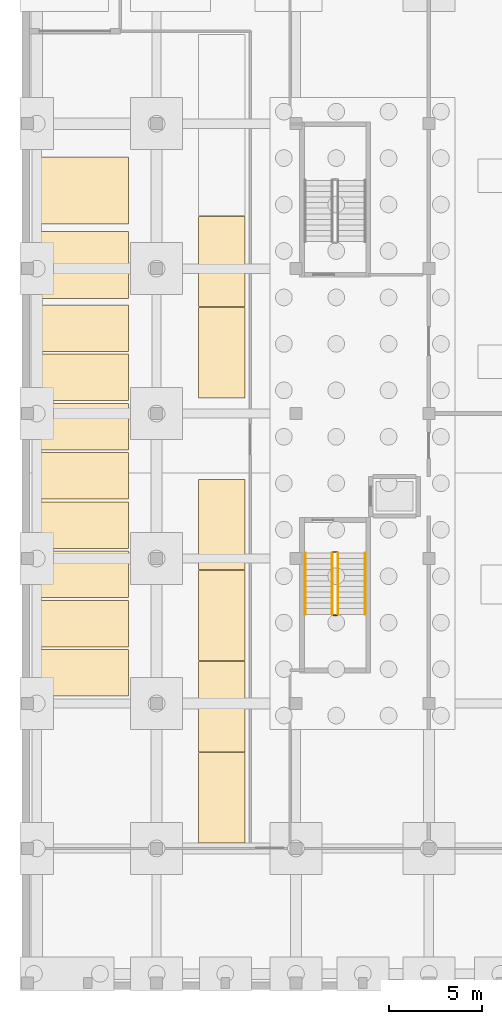
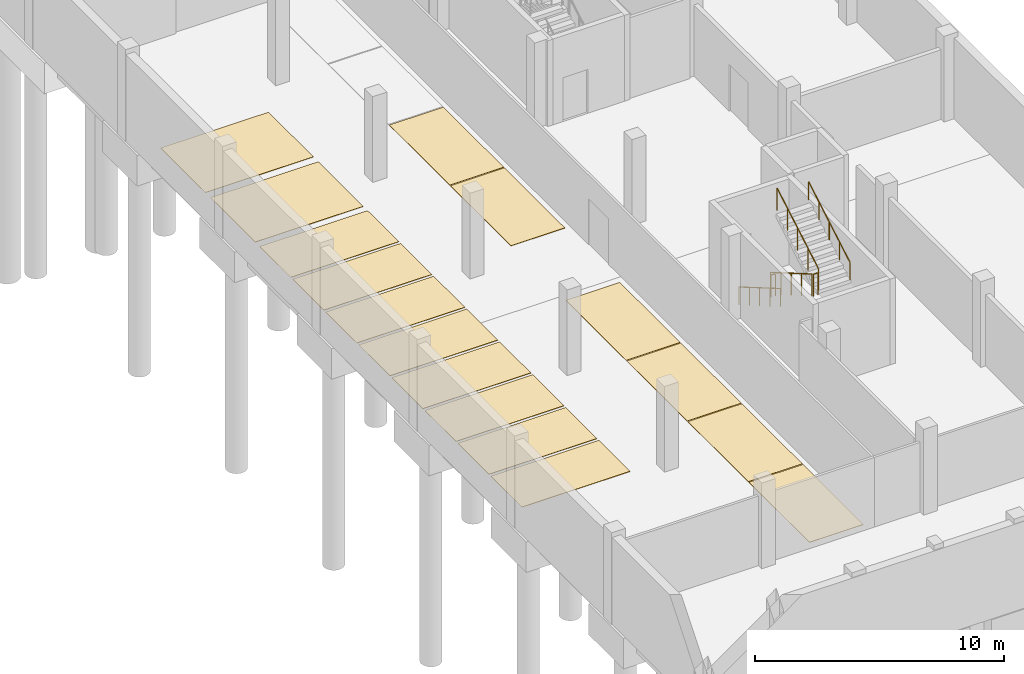
# One storey, part 16 of 21: 16 coverings, 6 railings.
"""IFC4 building model written with IfcOpenShell, lengths in metres."""

from ifc_helpers import new_model, si_unit, direction, frame, origin, origin_2d, place, context, subcontext, project, spatial, polyline, circle, outline, extrude, material, layer, layer_set, type_object, element, save


model = new_model("IFC4")

# Units and contexts
model_context = context("Model", 3, precision=1e-05, world=origin(), true_north=direction((0.0, 1.0)))
body_context = subcontext(model_context, "Body", "Model", "MODEL_VIEW")
ifc_project = project(units=[si_unit("LENGTHUNIT", "METRE"), si_unit("AREAUNIT", "SQUARE_METRE"), si_unit("VOLUMEUNIT", "CUBIC_METRE"), si_unit("PLANEANGLEUNIT", "RADIAN"), si_unit("MASSUNIT", "GRAM", prefix="KILO")], contexts=[model_context])

# Site, building, storey
site_placement = place(None, origin())
site = spatial("IfcSite", under=ifc_project, at=site_placement, CompositionType="ELEMENT")
building_placement = place(site_placement, origin())
building = spatial("IfcBuilding", under=site, at=building_placement, Name="Quillay Park Conservatory", CompositionType="ELEMENT")
storey_placement = place(building_placement, frame((0.0, 0.0, -8.39990234375)))
storey = spatial("IfcBuildingStorey", under=building, at=storey_placement, Name="B2", CompositionType="ELEMENT", Elevation=-8.39990234375)

# Coverings
ifc_material_1 = material(Name="Seamless Chemical-Resistant Epoxy Flooring")
ifc_layer_1 = layer(ifc_material_1, 0.02001953125)
ifc_layer_set_1 = layer_set([ifc_layer_1], Name="ACCESSIBLE PARKING BAY MARKING 20 (Seamless Chemical-Resistant Epoxy Flooring)")
covering_type_1 = type_object("IfcCoveringType", Name="ACCESSIBLE PARKING BAY MARKING 20", PredefinedType="FLOORING", material=ifc_layer_set_1)
covering_1_placement = place(storey_placement, origin())
element("IfcCovering", 1, at=covering_1_placement, inside=storey, type_object=covering_type_1, Name="B2 Accessible Parking Bay Marking B2-PA01", PredefinedType="FLOORING", context=body_context, shape_type="SweptSolid", body=[
    extrude(outline(polyline([(1.0, 37.39990234375), (6.0, 37.39990234375), (6.0, 41.0), (1.0, 41.0), (1.0, 37.39990234375)])), origin(), (0.0, 0.0, 1.0), 0.02001953125),
])
covering_2_placement = place(storey_placement, origin())
element("IfcCovering", 2, at=covering_2_placement, inside=storey, type_object=covering_type_1, Name="B2 Accessible Parking Bay Marking B2-PA02", PredefinedType="FLOORING", context=body_context, shape_type="SweptSolid", body=[
    extrude(outline(polyline([(1.0, 41.39990234375), (6.0, 41.39990234375), (6.0, 45.0), (1.0, 45.0), (1.0, 41.39990234375)])), origin(), (0.0, 0.0, 1.0), 0.02001953125),
])
ifc_material_2 = material(Name="Seamless Chemical-Resistant Epoxy Flooring")
ifc_layer_2 = layer(ifc_material_2, 0.02001953125)
ifc_layer_set_2 = layer_set([ifc_layer_2], Name="PARKING BAY MARKING 20 (Seamless Chemical-Resistant Epoxy Flooring)")
covering_type_2 = type_object("IfcCoveringType", Name="PARKING BAY MARKING 20", PredefinedType="FLOORING", material=ifc_layer_set_2)
covering_3_placement = place(storey_placement, origin())
element("IfcCovering", 3, at=covering_3_placement, inside=storey, type_object=covering_type_2, Name="B2 Parking Bay Marking B2-P01", PredefinedType="FLOORING", context=body_context, shape_type="SweptSolid", body=[
    extrude(outline(polyline([(1.0, 16.0), (6.0, 16.0), (6.0, 18.5), (1.0, 18.5), (1.0, 16.0)])), origin(), (0.0, 0.0, 1.0), 0.02001953125),
])
covering_4_placement = place(storey_placement, origin())
element("IfcCovering", 4, at=covering_4_placement, inside=storey, type_object=covering_type_2, Name="B2 Parking Bay Marking B2-P02", PredefinedType="FLOORING", context=body_context, shape_type="SweptSolid", body=[
    extrude(outline(polyline([(1.0, 18.64990234375), (6.0, 18.64990234375), (6.0, 21.14990234375), (1.0, 21.14990234375), (1.0, 18.64990234375)])), origin(), (0.0, 0.0, 1.0), 0.02001953125),
])
covering_5_placement = place(storey_placement, origin())
element("IfcCovering", 5, at=covering_5_placement, inside=storey, type_object=covering_type_2, Name="B2 Parking Bay Marking B2-P03", PredefinedType="FLOORING", context=body_context, shape_type="SweptSolid", body=[
    extrude(outline(polyline([(1.0, 21.300048828125), (6.0, 21.300048828125), (6.0, 23.800048828125), (1.0, 23.800048828125), (1.0, 21.300048828125)])), origin(), (0.0, 0.0, 1.0), 0.02001953125),
])
covering_6_placement = place(storey_placement, origin())
element("IfcCovering", 6, at=covering_6_placement, inside=storey, type_object=covering_type_2, Name="B2 Parking Bay Marking B2-P04", PredefinedType="FLOORING", context=body_context, shape_type="SweptSolid", body=[
    extrude(outline(polyline([(1.0, 23.949951171875), (6.0, 23.949951171875), (6.0, 26.449951171875), (1.0, 26.449951171875), (1.0, 23.949951171875)])), origin(), (0.0, 0.0, 1.0), 0.02001953125),
])
covering_7_placement = place(storey_placement, origin())
element("IfcCovering", 7, at=covering_7_placement, inside=storey, type_object=covering_type_2, Name="B2 Parking Bay Marking B2-P05", PredefinedType="FLOORING", context=body_context, shape_type="SweptSolid", body=[
    extrude(outline(polyline([(1.0, 26.60009765625), (6.0, 26.60009765625), (6.0, 29.10009765625), (1.0, 29.10009765625), (1.0, 26.60009765625)])), origin(), (0.0, 0.0, 1.0), 0.02001953125),
])
covering_8_placement = place(storey_placement, origin())
element("IfcCovering", 8, at=covering_8_placement, inside=storey, type_object=covering_type_2, Name="B2 Parking Bay Marking B2-P06", PredefinedType="FLOORING", context=body_context, shape_type="SweptSolid", body=[
    extrude(outline(polyline([(1.0, 29.25), (6.0, 29.25), (6.0, 31.75), (1.0, 31.75), (1.0, 29.25)])), origin(), (0.0, 0.0, 1.0), 0.02001953125),
])
covering_9_placement = place(storey_placement, origin())
element("IfcCovering", 9, at=covering_9_placement, inside=storey, type_object=covering_type_2, Name="B2 Parking Bay Marking B2-P07", PredefinedType="FLOORING", context=body_context, shape_type="SweptSolid", body=[
    extrude(outline(polyline([(1.0, 31.89990234375), (6.0, 31.89990234375), (6.0, 34.39990234375), (1.0, 34.39990234375), (1.0, 31.89990234375)])), origin(), (0.0, 0.0, 1.0), 0.02001953125),
])
covering_10_placement = place(storey_placement, origin())
element("IfcCovering", 10, at=covering_10_placement, inside=storey, type_object=covering_type_2, Name="B2 Parking Bay Marking B2-P08", PredefinedType="FLOORING", context=body_context, shape_type="SweptSolid", body=[
    extrude(outline(polyline([(1.0, 34.550048828125), (6.0, 34.550048828125), (6.0, 37.050048828125), (1.0, 37.050048828125), (1.0, 34.550048828125)])), origin(), (0.0, 0.0, 1.0), 0.02001953125),
])
covering_11_placement = place(storey_placement, origin())
element("IfcCovering", 11, at=covering_11_placement, inside=storey, type_object=covering_type_2, Name="B2 Parking Bay Marking B2-P09", PredefinedType="FLOORING", context=body_context, shape_type="SweptSolid", body=[
    extrude(outline(polyline([(9.75, 8.10009765625), (12.25, 8.10009765625), (12.25, 12.949951171875), (9.75, 12.949951171875), (9.75, 8.10009765625)])), origin(), (0.0, 0.0, 1.0), 0.02001953125),
])
covering_12_placement = place(storey_placement, origin())
element("IfcCovering", 12, at=covering_12_placement, inside=storey, type_object=covering_type_2, Name="B2 Parking Bay Marking B2-P10", PredefinedType="FLOORING", context=body_context, shape_type="SweptSolid", body=[
    extrude(outline(polyline([(9.75, 13.0), (12.25, 13.0), (12.25, 17.85009765625), (9.75, 17.85009765625), (9.75, 13.0)])), origin(), (0.0, 0.0, 1.0), 0.02001953125),
])
covering_13_placement = place(storey_placement, origin())
element("IfcCovering", 13, at=covering_13_placement, inside=storey, type_object=covering_type_2, Name="B2 Parking Bay Marking B2-P11", PredefinedType="FLOORING", context=body_context, shape_type="SweptSolid", body=[
    extrude(outline(polyline([(9.75, 17.89990234375), (12.25, 17.89990234375), (12.25, 22.75), (9.75, 22.75), (9.75, 17.89990234375)])), origin(), (0.0, 0.0, 1.0), 0.02001953125),
])
covering_14_placement = place(storey_placement, origin())
element("IfcCovering", 14, at=covering_14_placement, inside=storey, type_object=covering_type_2, Name="B2 Parking Bay Marking B2-P12", PredefinedType="FLOORING", context=body_context, shape_type="SweptSolid", body=[
    extrude(outline(polyline([(9.75, 22.800048828125), (12.25, 22.800048828125), (12.25, 27.64990234375), (9.75, 27.64990234375), (9.75, 22.800048828125)])), origin(), (0.0, 0.0, 1.0), 0.02001953125),
])
covering_15_placement = place(storey_placement, origin())
element("IfcCovering", 15, at=covering_15_placement, inside=storey, type_object=covering_type_2, Name="B2 Parking Bay Marking B2-P13", PredefinedType="FLOORING", context=body_context, shape_type="SweptSolid", body=[
    extrude(outline(polyline([(9.75, 32.050048828125), (12.25, 32.050048828125), (12.25, 36.89990234375), (9.75, 36.89990234375), (9.75, 32.050048828125)])), origin(), (0.0, 0.0, 1.0), 0.02001953125),
])
covering_16_placement = place(storey_placement, origin())
element("IfcCovering", 16, at=covering_16_placement, inside=storey, type_object=covering_type_2, Name="B2 Parking Bay Marking B2-P14", PredefinedType="FLOORING", context=body_context, shape_type="SweptSolid", body=[
    extrude(outline(polyline([(9.75, 36.949951171875), (12.25, 36.949951171875), (12.25, 41.800048828125), (9.75, 41.800048828125), (9.75, 36.949951171875)])), origin(), (0.0, 0.0, 1.0), 0.02001953125),
])

# Railings
ifc_material_3 = material(Name="Steel S355J2H", Category="steel")
railing_type_1 = type_object("IfcRailingType", Name="STAIR WALL HANDRAIL 900", PredefinedType="HANDRAIL", material=ifc_material_3)
railing_1_placement = place(storey_placement, frame((15.5, 23.699951171875, 0.1748046875)))
element("IfcRailing", 17, at=railing_1_placement, inside=storey, type_object=railing_type_1, Name="B2 ST-V1 stair handrail 1", PredefinedType="HANDRAIL", context=body_context, shape_type="SweptSolid", body=[
    extrude(circle(Radius=0.02392578125, at=origin_2d()), frame((0.0, 0.0, 0.8759765625), z_axis=(0.0, -0.863776583165, 0.503874998761), x_axis=(1.0, 0.0, 0.0)), (0.0, 0.0, 1.0), 3.820556640625),
    extrude(circle(Radius=0.02099609375, at=origin_2d()), origin(), (0.0, 0.0, 1.0), 0.851806640625),
    extrude(circle(Radius=0.02099609375, at=origin_2d()), frame((0.0, -0.824951171875, 0.481201171875)), (0.0, 0.0, 1.0), 0.851806640625),
    extrude(circle(Radius=0.02099609375, at=origin_2d()), frame((0.0, -1.64990234375, 0.96240234375)), (0.0, 0.0, 1.0), 0.851806640625),
    extrude(circle(Radius=0.02099609375, at=origin_2d()), frame((0.0, -2.47509765625, 1.44384765625)), (0.0, 0.0, 1.0), 0.851806640625),
    extrude(circle(Radius=0.02099609375, at=origin_2d()), frame((0.0, -3.300048828125, 1.925048828125)), (0.0, 0.0, 1.0), 0.851806640625),
])
railing_2_placement = place(storey_placement, frame((18.719970703125, 20.39990234375, 2.27490234375)))
element("IfcRailing", 18, at=railing_2_placement, inside=storey, type_object=railing_type_1, Name="B2 ST-V1 stair handrail 2", PredefinedType="HANDRAIL", context=body_context, shape_type="SweptSolid", body=[
    extrude(circle(Radius=0.02392578125, at=origin_2d()), frame((0.0, 0.0, 0.8759765625), z_axis=(0.0, 0.863776583165, 0.503874998761), x_axis=(-1.0, 0.0, 0.0)), (0.0, 0.0, 1.0), 3.820556640625),
    extrude(circle(Radius=0.02099609375, at=origin_2d()), origin(), (0.0, 0.0, 1.0), 0.851806640625),
    extrude(circle(Radius=0.02099609375, at=origin_2d()), frame((0.0, 0.824951171875, 0.481201171875)), (0.0, 0.0, 1.0), 0.851806640625),
    extrude(circle(Radius=0.02099609375, at=origin_2d()), frame((0.0, 1.64990234375, 0.96240234375)), (0.0, 0.0, 1.0), 0.851806640625),
    extrude(circle(Radius=0.02099609375, at=origin_2d()), frame((0.0, 2.47509765625, 1.44384765625)), (0.0, 0.0, 1.0), 0.851806640625),
    extrude(circle(Radius=0.02099609375, at=origin_2d()), frame((0.0, 3.300048828125, 1.925048828125)), (0.0, 0.0, 1.0), 0.851806640625),
])
ifc_material_4 = material(Name="Steel S355J2H", Category="steel")
railing_type_2 = type_object("IfcRailingType", Name="STAIR WELL GUARDRAIL 1100", PredefinedType="GUARDRAIL", material=ifc_material_4)
railing_3_placement = place(storey_placement, frame((16.9599609375, 23.699951171875, 0.1748046875)))
element("IfcRailing", 19, at=railing_3_placement, inside=storey, type_object=railing_type_2, Name="B2 ST-V1 stair guard 1", PredefinedType="GUARDRAIL", context=body_context, shape_type="SweptSolid", body=[
    extrude(circle(Radius=0.02392578125, at=origin_2d()), frame((0.0, 0.0, 1.076171875), z_axis=(0.0, -0.863776583165, 0.503874998761), x_axis=(1.0, 0.0, 0.0)), (0.0, 0.0, 1.0), 3.820556640625),
    extrude(circle(Radius=0.02099609375, at=origin_2d()), origin(), (0.0, 0.0, 1.0), 1.052001953125),
    extrude(circle(Radius=0.02099609375, at=origin_2d()), frame((0.0, -0.824951171875, 0.481201171875)), (0.0, 0.0, 1.0), 1.052001953125),
    extrude(circle(Radius=0.02099609375, at=origin_2d()), frame((0.0, -1.64990234375, 0.96240234375)), (0.0, 0.0, 1.0), 1.052001953125),
    extrude(circle(Radius=0.02099609375, at=origin_2d()), frame((0.0, -2.47509765625, 1.44384765625)), (0.0, 0.0, 1.0), 1.052001953125),
    extrude(circle(Radius=0.02099609375, at=origin_2d()), frame((0.0, -3.300048828125, 1.925048828125)), (0.0, 0.0, 1.0), 1.052001953125),
])
railing_4_placement = place(storey_placement, frame((17.010009765625, 20.35009765625, 2.099853515625)))
element("IfcRailing", 20, at=railing_4_placement, inside=storey, type_object=railing_type_2, Name="B2 ST-V1 stair guard 2", PredefinedType="GUARDRAIL", context=body_context, shape_type="SweptSolid", body=[
    extrude(circle(Radius=0.02392578125, at=origin_2d()), frame((0.0, 0.0, 1.076171875), z_axis=(1.0, 0.0, 0.0), x_axis=(0.0, 1.0, 0.0)), (0.0, 0.0, 1.0), 0.199951171875),
    extrude(circle(Radius=0.02099609375, at=origin_2d()), origin(), (0.0, 0.0, 1.0), 1.052001953125),
    extrude(circle(Radius=0.02099609375, at=origin_2d()), frame((0.199951171875, 0.0, 0.0)), (0.0, 0.0, 1.0), 1.052001953125),
])
railing_5_placement = place(storey_placement, frame((17.260009765625, 20.39990234375, 2.27490234375)))
element("IfcRailing", 21, at=railing_5_placement, inside=storey, type_object=railing_type_2, Name="B2 ST-V1 stair guard 3", PredefinedType="GUARDRAIL", context=body_context, shape_type="SweptSolid", body=[
    extrude(circle(Radius=0.02392578125, at=origin_2d()), frame((0.0, 0.0, 1.076171875), z_axis=(0.0, 0.863776583165, 0.503874998761), x_axis=(-1.0, 0.0, 0.0)), (0.0, 0.0, 1.0), 3.820556640625),
    extrude(circle(Radius=0.02099609375, at=origin_2d()), origin(), (0.0, 0.0, 1.0), 1.052001953125),
    extrude(circle(Radius=0.02099609375, at=origin_2d()), frame((0.0, 0.824951171875, 0.481201171875)), (0.0, 0.0, 1.0), 1.052001953125),
    extrude(circle(Radius=0.02099609375, at=origin_2d()), frame((0.0, 1.64990234375, 0.96240234375)), (0.0, 0.0, 1.0), 1.052001953125),
    extrude(circle(Radius=0.02099609375, at=origin_2d()), frame((0.0, 2.47509765625, 1.44384765625)), (0.0, 0.0, 1.0), 1.052001953125),
    extrude(circle(Radius=0.02099609375, at=origin_2d()), frame((0.0, 3.300048828125, 1.925048828125)), (0.0, 0.0, 1.0), 1.052001953125),
])
railing_6_placement = place(storey_placement, frame((17.010009765625, 23.75, 0.0)))
element("IfcRailing", 22, at=railing_6_placement, inside=storey, type_object=railing_type_2, Name="B2 ST-V1 stair guard 4", PredefinedType="GUARDRAIL", context=body_context, shape_type="SweptSolid", body=[
    extrude(circle(Radius=0.02392578125, at=origin_2d()), frame((0.0, 0.0, 1.076171875), z_axis=(1.0, 0.0, 0.0), x_axis=(0.0, 1.0, 0.0)), (0.0, 0.0, 1.0), 0.199951171875),
    extrude(circle(Radius=0.02099609375, at=origin_2d()), origin(), (0.0, 0.0, 1.0), 1.052001953125),
    extrude(circle(Radius=0.02099609375, at=origin_2d()), frame((0.199951171875, 0.0, 0.0)), (0.0, 0.0, 1.0), 1.052001953125),
])

save(model, "model.ifc")
